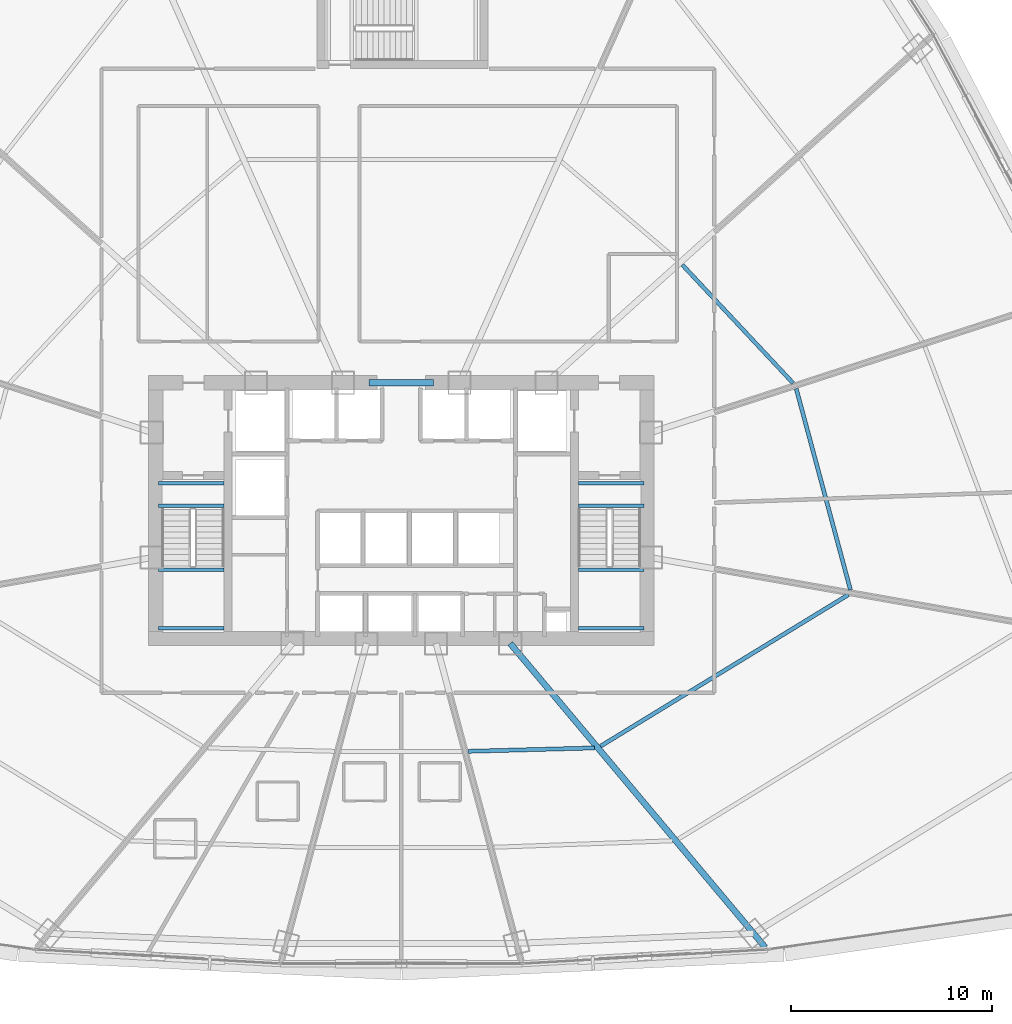
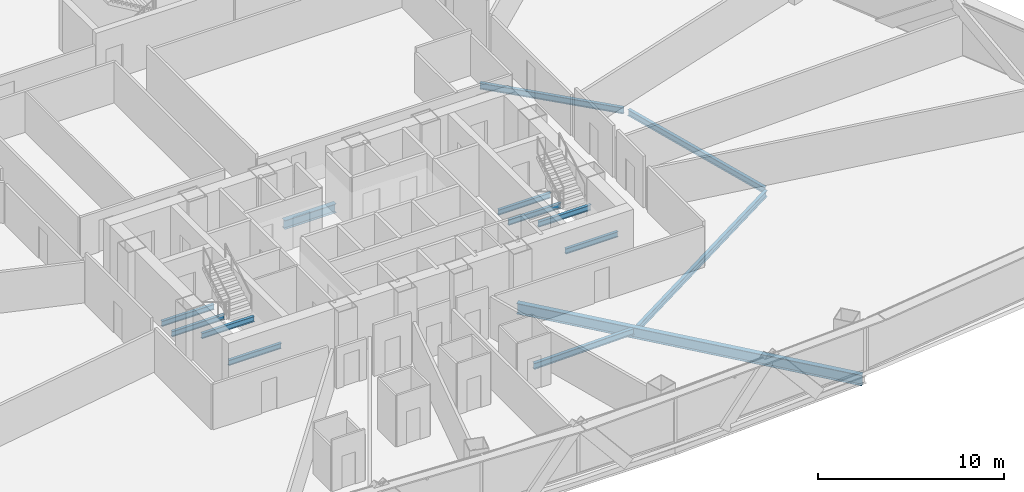
# One storey, part 13 of 40: 14 beams.
"""IFC4 building model written with IfcOpenShell, lengths in metres."""

from ifc_helpers import new_model, si_unit, direction, frame, origin, origin_2d, place, context, subcontext, project, spatial, i_section, extrude, source, transform, mapped, material, material_profile, profile_set, type_object, element, save


model = new_model("IFC4")

# Units and contexts
model_context = context("Model", 3, precision=1e-05, world=origin(), true_north=direction((0.0, 1.0)))
body_context = subcontext(model_context, "Body", "Model", "MODEL_VIEW")
ifc_project = project(units=[si_unit("LENGTHUNIT", "METRE"), si_unit("AREAUNIT", "SQUARE_METRE"), si_unit("VOLUMEUNIT", "CUBIC_METRE"), si_unit("PLANEANGLEUNIT", "RADIAN"), si_unit("MASSUNIT", "GRAM", prefix="KILO"), si_unit("THERMODYNAMICTEMPERATUREUNIT", "KELVIN"), si_unit("POWERUNIT", "WATT")], contexts=[model_context])

# Site, building, storey
site_placement = place(None, origin())
site = spatial("IfcSite", under=ifc_project, at=site_placement, CompositionType="ELEMENT")
building_placement = place(site_placement, origin())
building = spatial("IfcBuilding", under=site, at=building_placement, Name="Yunzhuo Pagoda Commons", CompositionType="ELEMENT")
storey_placement = place(building_placement, frame((0.0, 0.0, 66.699951171875)))
storey = spatial("IfcBuildingStorey", under=building, at=storey_placement, Name="L17", CompositionType="ELEMENT", Elevation=66.699951171875)

# Beams
ifc_material_1 = material(Name="Structural steel Q355B", Category="steel")
ifc_material_profile_1 = material_profile(ifc_material_1, i_section(OverallWidth=0.175048828125, OverallDepth=0.35009765625, WebThickness=0.007080078125, FlangeThickness=0.010986328125, at=origin_2d()), Name="Structural steel Q355B")
ifc_profile_set_1 = profile_set([ifc_material_profile_1], Name="Structural steel Q355B")
beam_type_1 = type_object("IfcBeamType", Name="B-JS2 Joist HN 350x175x7x11", PredefinedType="JOIST", material=ifc_profile_set_1)
shared_shape_1 = source(origin(), body_context, "Body", "SweptSolid", [
    extrude(i_section(OverallWidth=0.175048828125, OverallDepth=0.35009765625, WebThickness=0.007080078125, FlangeThickness=0.010986328125, at=origin_2d()), origin(), (0.0, 0.0, 1.0), 3.25),
])
for number, where, z_axis, x_axis, name in (
    (1, (35.949951171875, 28.0, 1.43994140625), (1.0, 0.0, 0.0), (0.0, 1.0, 0.0), "L17 ST1 landing support beam 21A"),
    (2, (35.949951171875, 30.89990234375, 1.43994140625), (1.0, 0.0, 0.0), (0.0, 1.0, 0.0), "L17 ST1 landing support beam 21B"),
    (3, (35.949951171875, 34.10009765625, -0.375), (1.0, 0.0, 0.0), (0.0, 1.0, 0.0), "L17 ST1 landing support beam 121A"),
    (4, (35.949951171875, 35.199951171875, -0.375), (1.0, 0.0, 0.0), (0.0, 1.0, 0.0), "L17 ST1 landing support beam 121B"),
    (5, (56.800048828125, 28.0, 1.43994140625), (1.0, 0.0, 0.0), (0.0, 1.0, 0.0), "L17 ST2 landing support beam 21A"),
    (6, (56.800048828125, 30.89990234375, 1.43994140625), (1.0, 0.0, 0.0), (0.0, 1.0, 0.0), "L17 ST2 landing support beam 21B"),
    (7, (56.800048828125, 34.10009765625, -0.375), (1.0, 0.0, 0.0), (0.0, 1.0, 0.0), "L17 ST2 landing support beam 121A"),
    (8, (56.800048828125, 35.199951171875, -0.375), (1.0, 0.0, 0.0), (0.0, 1.0, 0.0), "L17 ST2 landing support beam 121B"),
):
    element("IfcBeam", number, at=place(storey_placement, frame(where, z_axis=z_axis, x_axis=x_axis)), inside=storey, type_object=beam_type_1, Name=name, PredefinedType="JOIST", context=body_context, shape_type="MappedRepresentation", body=[
        mapped(shared_shape_1, transform((0.0, 0.0, 0.0), scale=1.0)),
    ])
ifc_material_2 = material(Name="Structural steel Q420B", Category="steel")
ifc_material_profile_2 = material_profile(ifc_material_2, i_section(OverallWidth=0.300048828125, OverallDepth=0.587890625, WebThickness=0.011962890625, FlangeThickness=0.02001953125, at=origin_2d()), Name="Structural steel Q420B")
ifc_profile_set_2 = profile_set([ifc_material_profile_2], Name="Structural steel Q420B")
beam_type_2 = type_object("IfcBeamType", Name="B-CPL Beam HM 588x300x12x20", PredefinedType="BEAM", material=ifc_profile_set_2)
shared_shape_2 = source(origin(), body_context, "Body", "SweptSolid", [
    extrude(i_section(OverallWidth=0.300048828125, OverallDepth=0.587890625, WebThickness=0.011962890625, FlangeThickness=0.02001953125, at=origin_2d()), origin(), (0.0, 0.0, 1.0), 3.2001953125),
])
beam_1_placement = place(storey_placement, frame((46.39990234375, 40.199951171875, -0.553955078125), z_axis=(1.0, 0.0, 0.0), x_axis=(0.0, 1.0, 0.0)))
element("IfcBeam", 9, at=beam_1_placement, inside=storey, type_object=beam_type_2, Name="L17 core coupling girder", PredefinedType="BEAM", context=body_context, shape_type="MappedRepresentation", body=[
    mapped(shared_shape_2, transform((0.0, 0.0, 0.0), scale=1.0)),
])
ifc_material_profile_3 = material_profile(ifc_material_1, i_section(OverallWidth=0.199951171875, OverallDepth=0.39990234375, WebThickness=0.008056640625, FlangeThickness=0.012939453125, at=origin_2d()), Name="Structural steel Q355B")
ifc_profile_set_3 = profile_set([ifc_material_profile_3], Name="Structural steel Q355B")
beam_type_3 = type_object("IfcBeamType", Name="B-JS1 Joist HN 400x200x8x13", PredefinedType="JOIST", material=ifc_profile_set_3)
shared_shape_3 = source(origin(), body_context, "Body", "SweptSolid", [
    extrude(i_section(OverallWidth=0.199951171875, OverallDepth=0.39990234375, WebThickness=0.008056640625, FlangeThickness=0.012939453125, at=origin_2d()), origin(), (0.0, 0.0, 1.0), 6.283203125),
])
beam_2_placement = place(storey_placement, frame((51.32421875, 21.89111328125, -0.4599609375), z_axis=(0.999638450037, 0.026888086735, 0.0), x_axis=(-0.026888086735, 0.999638450037, 0.0)))
element("IfcBeam", 10, at=beam_2_placement, inside=storey, type_object=beam_type_3, Name="L17 composite ring joist 1.3", PredefinedType="JOIST", context=body_context, shape_type="MappedRepresentation", body=[
    mapped(shared_shape_3, transform((0.0, 0.0, 0.0), scale=1.0)),
])
shared_shape_4 = source(origin(), body_context, "Body", "SweptSolid", [
    extrude(i_section(OverallWidth=0.199951171875, OverallDepth=0.39990234375, WebThickness=0.008056640625, FlangeThickness=0.012939453125, at=origin_2d()), origin(), (0.0, 0.0, 1.0), 14.4365234375),
])
beam_3_placement = place(storey_placement, frame((57.8994140625, 22.14697265625, -0.4599609375), z_axis=(0.85325633277, 0.521491735876, 0.0), x_axis=(-0.521491735876, 0.85325633277, 0.0)))
element("IfcBeam", 11, at=beam_3_placement, inside=storey, type_object=beam_type_3, Name="L17 composite ring joist 1.4", PredefinedType="JOIST", context=body_context, shape_type="MappedRepresentation", body=[
    mapped(shared_shape_4, transform((0.0, 0.0, 0.0), scale=1.0)),
])
shared_shape_5 = source(origin(), body_context, "Body", "SweptSolid", [
    extrude(i_section(OverallWidth=0.199951171875, OverallDepth=0.39990234375, WebThickness=0.008056640625, FlangeThickness=0.012939453125, at=origin_2d()), origin(), (0.0, 0.0, 1.0), 10.351806640625),
])
beam_4_placement = place(storey_placement, frame((70.311767578125, 29.912109375, -0.4599609375), z_axis=(-0.260208595802, 0.965552425646, 0.0), x_axis=(-0.965552425646, -0.260208595802, 0.0)))
element("IfcBeam", 12, at=beam_4_placement, inside=storey, type_object=beam_type_3, Name="L17 composite ring joist 1.5", PredefinedType="JOIST", context=body_context, shape_type="MappedRepresentation", body=[
    mapped(shared_shape_5, transform((0.0, 0.0, 0.0), scale=1.0)),
])
shared_shape_6 = source(origin(), body_context, "Body", "SweptSolid", [
    extrude(i_section(OverallWidth=0.199951171875, OverallDepth=0.39990234375, WebThickness=0.008056640625, FlangeThickness=0.012939453125, at=origin_2d()), origin(), (0.0, 0.0, 1.0), 8.055908203125),
])
beam_5_placement = place(storey_placement, frame((67.468017578125, 40.177001953125, -0.4599609375), z_axis=(-0.683432879027, 0.730013355949, 0.0), x_axis=(-0.730013355949, -0.683432879027, 0.0)))
element("IfcBeam", 13, at=beam_5_placement, inside=storey, type_object=beam_type_3, Name="L17 composite ring joist 1.6", PredefinedType="JOIST", context=body_context, shape_type="MappedRepresentation", body=[
    mapped(shared_shape_6, transform((0.0, 0.0, 0.0), scale=1.0)),
])
ifc_material_profile_4 = material_profile(ifc_material_1, i_section(OverallWidth=0.300048828125, OverallDepth=0.699951171875, WebThickness=0.012939453125, FlangeThickness=0.02392578125, at=origin_2d()), Name="Structural steel Q355B")
ifc_profile_set_4 = profile_set([ifc_material_profile_4], Name="Structural steel Q355B")
beam_type_4 = type_object("IfcBeamType", Name="B-RG1 Beam HN 700x300x13x24", PredefinedType="BEAM", material=ifc_profile_set_4)
shared_shape_7 = source(origin(), body_context, "Body", "SweptSolid", [
    extrude(i_section(OverallWidth=0.300048828125, OverallDepth=0.699951171875, WebThickness=0.012939453125, FlangeThickness=0.02392578125, at=origin_2d()), origin(), (0.0, 0.0, 1.0), 19.7001953125),
])
beam_6_placement = place(storey_placement, frame((66.0751953125, 12.15869140625, -0.60986328125), z_axis=(-0.642786848986, 0.766045081422, 0.0), x_axis=(-0.766045081422, -0.642786848986, 0.0)))
element("IfcBeam", 14, at=beam_6_placement, inside=storey, type_object=beam_type_4, Name="L17 radial floor girder F1C4", PredefinedType="BEAM", context=body_context, shape_type="MappedRepresentation", body=[
    mapped(shared_shape_7, transform((0.0, 0.0, 0.0), scale=1.0)),
])

save(model, "model.ifc")
